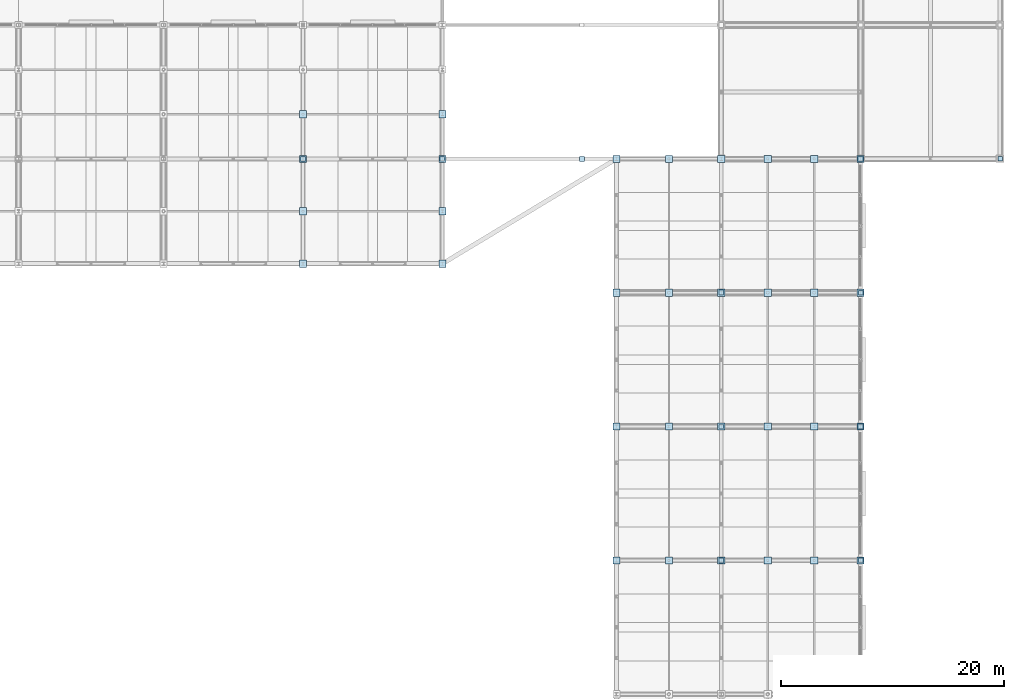
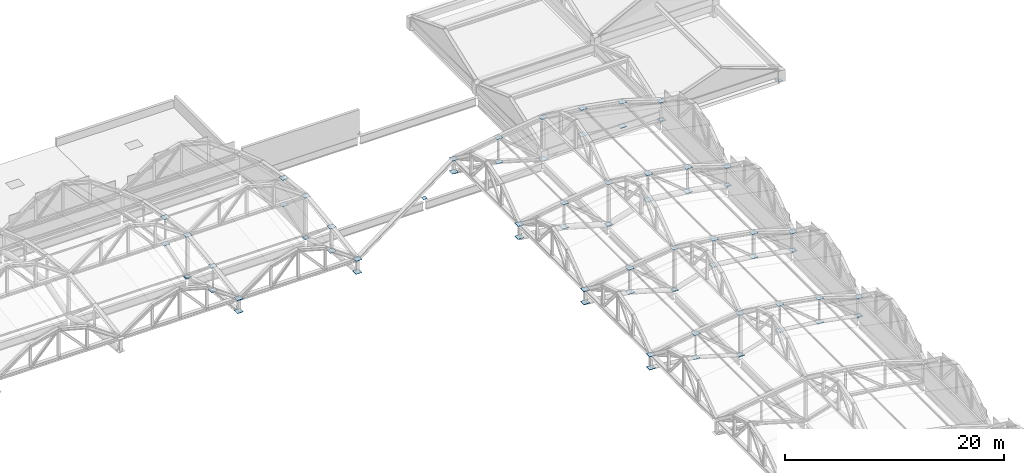
# One storey, part 105 of 117: 75 plates.
"""IFC4 building model written with IfcOpenShell, lengths in metres."""

from ifc_helpers import new_model, si_unit, direction, frame, origin, origin_2d, place, context, subcontext, project, spatial, rectangle, extrude, material, layer, layer_set, type_object, element, save


model = new_model("IFC4")

# Units and contexts
model_context = context("Model", 3, precision=1e-05, world=origin(), true_north=direction((0.0, 1.0)))
body_context = subcontext(model_context, "Body", "Model", "MODEL_VIEW")
ifc_project = project(units=[si_unit("LENGTHUNIT", "METRE"), si_unit("AREAUNIT", "SQUARE_METRE"), si_unit("VOLUMEUNIT", "CUBIC_METRE"), si_unit("PLANEANGLEUNIT", "RADIAN"), si_unit("MASSUNIT", "GRAM", prefix="KILO")], contexts=[model_context])

# Site, building, storey
site_placement = place(None, origin())
site = spatial("IfcSite", under=ifc_project, at=site_placement, CompositionType="ELEMENT")
building_placement = place(site_placement, origin())
building = spatial("IfcBuilding", under=site, at=building_placement, Name="Kazenohara Klinker Stadium", CompositionType="ELEMENT")
storey_placement = place(building_placement, frame((0.0, 0.0, 31.199951171875)))
storey = spatial("IfcBuildingStorey", under=building, at=storey_placement, Name="RF", CompositionType="ELEMENT", Elevation=31.199951171875)

# Plates
ifc_material = material(Name="Steel S355", Category="steel")
ifc_layer_1 = layer(ifc_material, 0.02001953125)
ifc_layer_set_1 = layer_set([ifc_layer_1], Name="Steel S355")
plate_type_1 = type_object("IfcPlateType", Name="PLT-GP01", PredefinedType="USERDEFINED", material=ifc_layer_set_1)
plate_1_placement = place(storey_placement, frame((175.0, 120.0, -0.010009765625), z_axis=(0.0, 0.0, 1.0), x_axis=(1.0, 0.0, 0.0)))
element("IfcPlate", 1, at=plate_1_placement, inside=storey, type_object=plate_type_1, Name="Hollow column end-cap plate GP01 RF 15/L", ObjectType="GUSSET PLATE", PredefinedType="USERDEFINED", context=body_context, shape_type="SweptSolid", body=[
    extrude(rectangle(XDim=0.43994140625, YDim=0.43994140625, at=origin_2d()), origin(), (0.0, 0.0, 1.0), 0.02001953125),
])
plate_2_placement = place(storey_placement, frame((187.5, 96.0, -0.010009765625), z_axis=(0.0, 0.0, 1.0), x_axis=(1.0, 0.0, 0.0)))
element("IfcPlate", 2, at=plate_2_placement, inside=storey, type_object=plate_type_1, Name="Hollow column end-cap plate GP01 RF 16/J", ObjectType="GUSSET PLATE", PredefinedType="USERDEFINED", context=body_context, shape_type="SweptSolid", body=[
    extrude(rectangle(XDim=0.389892578125, YDim=0.389892578125, at=origin_2d()), origin(), (0.0, 0.0, 1.0), 0.02001953125),
])
for number, where, z_axis, x_axis, name in (
    (3, (183.333251953125, 96.0, 0.739990234375), (0.0, 0.0, 1.0), (1.0, 0.0, 0.0), "ROOF TRUSS RT-E05 node gusset plate BN2"),
    (4, (183.333251953125, 96.0, 3.43994140625), (0.0, 0.0, 1.0), (1.0, 0.0, 0.0), "ROOF TRUSS RT-E05 node gusset plate TN2"),
    (5, (187.5, 108.0, -0.030029296875), (0.0, 0.0, 1.0), (1.0, 0.0, 0.0), "ROOF TRUSS RT-E06 node gusset plate BN1"),
    (6, (187.5, 108.0, 2.090087890625), (0.0, 0.0, 1.0), (1.0, 0.0, 0.0), "ROOF TRUSS RT-E06 node gusset plate TN1"),
    (7, (165.60009765625, 120.0, 1.840087890625), (0.0, 0.0, 1.0), (1.0, 0.0, 0.0), "ROOF TRUSS RT-E07 node gusset plate BN6"),
    (8, (165.60009765625, 120.0, 3.2900390625), (0.0, 0.0, 1.0), (1.0, 0.0, 0.0), "ROOF TRUSS RT-E07 node gusset plate TN6"),
    (9, (137.5, 127.300048828125, 1.340087890625), (0.0, 0.0, 1.0), (1.0, 0.0, 0.0), "ROOF TRUSS RT-N07 node gusset plate BN5"),
    (10, (137.5, 127.300048828125, 4.0400390625), (0.0, 0.0, 1.0), (1.0, 0.0, 0.0), "ROOF TRUSS RT-N07 node gusset plate TN5"),
    (11, (170.300048828125, 132.0, 1.340087890625), (0.0, 0.0, 1.0), (1.0, 0.0, 0.0), "ROOF TRUSS RT-E08 node gusset plate BN5"),
    (12, (170.300048828125, 132.0, 4.0400390625), (0.0, 0.0, 1.0), (1.0, 0.0, 0.0), "ROOF TRUSS RT-E08 node gusset plate TN5"),
    (13, (150.0, 132.0, -0.030029296875), (0.0, 0.0, 1.0), (1.0, 0.0, 0.0), "ROOF TRUSS RT-N08 node gusset plate BN4"),
    (14, (150.0, 132.0, 4.64013671875), (0.0, 0.0, 1.0), (1.0, 0.0, 0.0), "ROOF TRUSS RT-N08 node gusset plate TN4"),
):
    element("IfcPlate", number, at=place(storey_placement, frame(where, z_axis=z_axis, x_axis=x_axis)), inside=storey, type_object=plate_type_1, Name=name, ObjectType="GUSSET PLATE", PredefinedType="USERDEFINED", context=body_context, shape_type="SweptSolid", body=[
        extrude(rectangle(XDim=0.639892578125, YDim=0.639892578125, at=origin_2d()), origin(), (0.0, 0.0, 1.0), 0.02001953125),
    ])
ifc_layer_2 = layer(ifc_material, 0.02197265625)
ifc_layer_set_2 = layer_set([ifc_layer_2], Name="Steel S355")
plate_type_2 = type_object("IfcPlateType", Name="PLT-GP02", PredefinedType="USERDEFINED", material=ifc_layer_set_2)
plate_3_placement = place(storey_placement, frame((137.5, 132.0, -0.010986328125), z_axis=(0.0, 0.0, 1.0), x_axis=(1.0, 0.0, 0.0)))
element("IfcPlate", 15, at=plate_3_placement, inside=storey, type_object=plate_type_2, Name="Hollow column end-cap plate GP02 RF 12/M", ObjectType="GUSSET PLATE", PredefinedType="USERDEFINED", context=body_context, shape_type="SweptSolid", body=[
    extrude(rectangle(XDim=0.43994140625, YDim=0.43994140625, at=origin_2d()), origin(), (0.0, 0.0, 1.0), 0.02197265625),
])
plate_4_placement = place(storey_placement, frame((150.0, 132.0, -0.010986328125), z_axis=(0.0, 0.0, 1.0), x_axis=(1.0, 0.0, 0.0)))
element("IfcPlate", 16, at=plate_4_placement, inside=storey, type_object=plate_type_2, Name="Hollow column end-cap plate GP02 RF 13/M", ObjectType="GUSSET PLATE", PredefinedType="USERDEFINED", context=body_context, shape_type="SweptSolid", body=[
    extrude(rectangle(XDim=0.389892578125, YDim=0.389892578125, at=origin_2d()), origin(), (0.0, 0.0, 1.0), 0.02197265625),
])
for number, where, z_axis, x_axis, name in (
    (17, (162.5, 132.0, -0.010986328125), (0.0, 0.0, 1.0), (1.0, 0.0, 0.0), "Hollow column end-cap plate GP02 RF 14/M"),
    (18, (175.0, 96.0, -0.010986328125), (0.0, 0.0, 1.0), (1.0, 0.0, 0.0), "Hollow column end-cap plate GP02 RF 15/J"),
):
    element("IfcPlate", number, at=place(storey_placement, frame(where, z_axis=z_axis, x_axis=x_axis)), inside=storey, type_object=plate_type_2, Name=name, ObjectType="GUSSET PLATE", PredefinedType="USERDEFINED", context=body_context, shape_type="SweptSolid", body=[
        extrude(rectangle(XDim=0.43994140625, YDim=0.43994140625, at=origin_2d()), origin(), (0.0, 0.0, 1.0), 0.02197265625),
    ])
plate_5_placement = place(storey_placement, frame((175.0, 108.0, -0.010986328125), z_axis=(0.0, 0.0, 1.0), x_axis=(1.0, 0.0, 0.0)))
element("IfcPlate", 19, at=plate_5_placement, inside=storey, type_object=plate_type_2, Name="Hollow column end-cap plate GP02 RF 15/K", ObjectType="GUSSET PLATE", PredefinedType="USERDEFINED", context=body_context, shape_type="SweptSolid", body=[
    extrude(rectangle(XDim=0.389892578125, YDim=0.389892578125, at=origin_2d()), origin(), (0.0, 0.0, 1.0), 0.02197265625),
])
for number, where, z_axis, x_axis, name in (
    (20, (179.166748046875, 96.0, 1.239013671875), (0.0, 0.0, 1.0), (1.0, 0.0, 0.0), "ROOF TRUSS RT-E05 node gusset plate BN3"),
    (21, (179.166748046875, 96.0, 4.18896484375), (0.0, 0.0, 1.0), (1.0, 0.0, 0.0), "ROOF TRUSS RT-E05 node gusset plate TN3"),
    (22, (183.333251953125, 108.0, 0.739013671875), (0.0, 0.0, 1.0), (1.0, 0.0, 0.0), "ROOF TRUSS RT-E06 node gusset plate BN2"),
    (23, (183.333251953125, 108.0, 3.43896484375), (0.0, 0.0, 1.0), (1.0, 0.0, 0.0), "ROOF TRUSS RT-E06 node gusset plate TN2"),
    (24, (187.5, 120.0, -0.031005859375), (0.0, 0.0, 1.0), (1.0, 0.0, 0.0), "ROOF TRUSS RT-E07 node gusset plate BN1"),
    (25, (187.5, 120.0, 2.089111328125), (0.0, 0.0, 1.0), (1.0, 0.0, 0.0), "ROOF TRUSS RT-E07 node gusset plate TN1"),
    (26, (137.5, 122.60009765625, 1.839111328125), (0.0, 0.0, 1.0), (1.0, 0.0, 0.0), "ROOF TRUSS RT-N07 node gusset plate BN6"),
    (27, (137.5, 122.60009765625, 3.2890625), (0.0, 0.0, 1.0), (1.0, 0.0, 0.0), "ROOF TRUSS RT-N07 node gusset plate TN6"),
    (28, (165.60009765625, 132.0, 1.839111328125), (0.0, 0.0, 1.0), (1.0, 0.0, 0.0), "ROOF TRUSS RT-E08 node gusset plate BN6"),
    (29, (165.60009765625, 132.0, 3.2890625), (0.0, 0.0, 1.0), (1.0, 0.0, 0.0), "ROOF TRUSS RT-E08 node gusset plate TN6"),
    (30, (150.0, 127.300048828125, 1.339111328125), (0.0, 0.0, 1.0), (1.0, 0.0, 0.0), "ROOF TRUSS RT-N08 node gusset plate BN5"),
    (31, (150.0, 127.300048828125, 4.0390625), (0.0, 0.0, 1.0), (1.0, 0.0, 0.0), "ROOF TRUSS RT-N08 node gusset plate TN5"),
):
    element("IfcPlate", number, at=place(storey_placement, frame(where, z_axis=z_axis, x_axis=x_axis)), inside=storey, type_object=plate_type_2, Name=name, ObjectType="GUSSET PLATE", PredefinedType="USERDEFINED", context=body_context, shape_type="SweptSolid", body=[
        extrude(rectangle(XDim=0.639892578125, YDim=0.639892578125, at=origin_2d()), origin(), (0.0, 0.0, 1.0), 0.02197265625),
    ])
ifc_layer_3 = layer(ifc_material, 0.02392578125)
ifc_layer_set_3 = layer_set([ifc_layer_3], Name="Steel S355")
plate_type_3 = type_object("IfcPlateType", Name="PLT-GP03", PredefinedType="USERDEFINED", material=ifc_layer_set_3)
plate_6_placement = place(storey_placement, frame((187.5, 120.0, -0.011962890625), z_axis=(0.0, 0.0, 1.0), x_axis=(1.0, 0.0, 0.0)))
element("IfcPlate", 32, at=plate_6_placement, inside=storey, type_object=plate_type_3, Name="Hollow column end-cap plate GP03 RF 16/L", ObjectType="GUSSET PLATE", PredefinedType="USERDEFINED", context=body_context, shape_type="SweptSolid", body=[
    extrude(rectangle(XDim=0.389892578125, YDim=0.389892578125, at=origin_2d()), origin(), (0.0, 0.0, 1.0), 0.02392578125),
])
plate_7_placement = place(storey_placement, frame((187.5, 132.0, -0.011962890625), z_axis=(0.0, 0.0, 1.0), x_axis=(1.0, 0.0, 0.0)))
element("IfcPlate", 33, at=plate_7_placement, inside=storey, type_object=plate_type_3, Name="Hollow column end-cap plate GP03 RF 16/M", ObjectType="GUSSET PLATE", PredefinedType="USERDEFINED", context=body_context, shape_type="SweptSolid", body=[
    extrude(rectangle(XDim=0.43994140625, YDim=0.43994140625, at=origin_2d()), origin(), (0.0, 0.0, 1.0), 0.02392578125),
])
plate_8_placement = place(storey_placement, frame((200.0, 132.0, -0.011962890625), z_axis=(0.0, 0.0, 1.0), x_axis=(1.0, 0.0, 0.0)))
element("IfcPlate", 34, at=plate_8_placement, inside=storey, type_object=plate_type_3, Name="Hollow column end-cap plate GP03 RF 17/M", ObjectType="GUSSET PLATE", PredefinedType="USERDEFINED", context=body_context, shape_type="SweptSolid", body=[
    extrude(rectangle(XDim=0.389892578125, YDim=0.389892578125, at=origin_2d()), origin(), (0.0, 0.0, 1.0), 0.02392578125),
])
for number, where, z_axis, x_axis, name in (
    (35, (175.0, 96.0, -0.031982421875), (0.0, 0.0, 1.0), (1.0, 0.0, 0.0), "ROOF TRUSS RT-E05 node gusset plate BN4"),
    (36, (175.0, 96.0, 4.63818359375), (0.0, 0.0, 1.0), (1.0, 0.0, 0.0), "ROOF TRUSS RT-E05 node gusset plate TN4"),
    (37, (179.166748046875, 108.0, 1.238037109375), (0.0, 0.0, 1.0), (1.0, 0.0, 0.0), "ROOF TRUSS RT-E06 node gusset plate BN3"),
    (38, (179.166748046875, 108.0, 4.18798828125), (0.0, 0.0, 1.0), (1.0, 0.0, 0.0), "ROOF TRUSS RT-E06 node gusset plate TN3"),
    (39, (183.333251953125, 120.0, 0.738037109375), (0.0, 0.0, 1.0), (1.0, 0.0, 0.0), "ROOF TRUSS RT-E07 node gusset plate BN2"),
    (40, (183.333251953125, 120.0, 3.43798828125), (0.0, 0.0, 1.0), (1.0, 0.0, 0.0), "ROOF TRUSS RT-E07 node gusset plate TN2"),
    (41, (187.5, 132.0, -0.031982421875), (0.0, 0.0, 1.0), (1.0, 0.0, 0.0), "ROOF TRUSS RT-E08 node gusset plate BN1"),
    (42, (187.5, 132.0, 2.088134765625), (0.0, 0.0, 1.0), (1.0, 0.0, 0.0), "ROOF TRUSS RT-E08 node gusset plate TN1"),
    (43, (150.0, 122.60009765625, 1.838134765625), (0.0, 0.0, 1.0), (1.0, 0.0, 0.0), "ROOF TRUSS RT-N08 node gusset plate BN6"),
    (44, (150.0, 122.60009765625, 3.2880859375), (0.0, 0.0, 1.0), (1.0, 0.0, 0.0), "ROOF TRUSS RT-N08 node gusset plate TN6"),
):
    element("IfcPlate", number, at=place(storey_placement, frame(where, z_axis=z_axis, x_axis=x_axis)), inside=storey, type_object=plate_type_3, Name=name, ObjectType="GUSSET PLATE", PredefinedType="USERDEFINED", context=body_context, shape_type="SweptSolid", body=[
        extrude(rectangle(XDim=0.639892578125, YDim=0.639892578125, at=origin_2d()), origin(), (0.0, 0.0, 1.0), 0.02392578125),
    ])
ifc_layer_4 = layer(ifc_material, 0.02490234375)
ifc_layer_set_4 = layer_set([ifc_layer_4], Name="Steel S355")
plate_type_4 = type_object("IfcPlateType", Name="PLT-GP04", PredefinedType="USERDEFINED", material=ifc_layer_set_4)
plate_9_placement = place(storey_placement, frame((187.5, 108.0, -0.012451171875), z_axis=(0.0, 0.0, 1.0), x_axis=(1.0, 0.0, 0.0)))
element("IfcPlate", 45, at=plate_9_placement, inside=storey, type_object=plate_type_4, Name="Hollow column end-cap plate GP04 RF 16/K", ObjectType="GUSSET PLATE", PredefinedType="USERDEFINED", context=body_context, shape_type="SweptSolid", body=[
    extrude(rectangle(XDim=0.43994140625, YDim=0.43994140625, at=origin_2d()), origin(), (0.0, 0.0, 1.0), 0.02490234375),
])
for number, where, z_axis, x_axis, name in (
    (46, (170.300048828125, 96.0, 1.337646484375), (0.0, 0.0, 1.0), (1.0, 0.0, 0.0), "ROOF TRUSS RT-E05 node gusset plate BN5"),
    (47, (170.300048828125, 96.0, 4.03759765625), (0.0, 0.0, 1.0), (1.0, 0.0, 0.0), "ROOF TRUSS RT-E05 node gusset plate TN5"),
    (48, (175.0, 108.0, -0.032470703125), (0.0, 0.0, 1.0), (1.0, 0.0, 0.0), "ROOF TRUSS RT-E06 node gusset plate BN4"),
    (49, (175.0, 108.0, 4.6376953125), (0.0, 0.0, 1.0), (1.0, 0.0, 0.0), "ROOF TRUSS RT-E06 node gusset plate TN4"),
    (50, (179.166748046875, 120.0, 1.237548828125), (0.0, 0.0, 1.0), (1.0, 0.0, 0.0), "ROOF TRUSS RT-E07 node gusset plate BN3"),
    (51, (179.166748046875, 120.0, 4.1875), (0.0, 0.0, 1.0), (1.0, 0.0, 0.0), "ROOF TRUSS RT-E07 node gusset plate TN3"),
    (52, (183.333251953125, 132.0, 0.737548828125), (0.0, 0.0, 1.0), (1.0, 0.0, 0.0), "ROOF TRUSS RT-E08 node gusset plate BN2"),
    (53, (183.333251953125, 132.0, 3.4375), (0.0, 0.0, 1.0), (1.0, 0.0, 0.0), "ROOF TRUSS RT-E08 node gusset plate TN2"),
):
    element("IfcPlate", number, at=place(storey_placement, frame(where, z_axis=z_axis, x_axis=x_axis)), inside=storey, type_object=plate_type_4, Name=name, ObjectType="GUSSET PLATE", PredefinedType="USERDEFINED", context=body_context, shape_type="SweptSolid", body=[
        extrude(rectangle(XDim=0.639892578125, YDim=0.639892578125, at=origin_2d()), origin(), (0.0, 0.0, 1.0), 0.02490234375),
    ])
ifc_layer_5 = layer(ifc_material, 0.02587890625)
ifc_layer_set_5 = layer_set([ifc_layer_5], Name="Steel S355")
plate_type_5 = type_object("IfcPlateType", Name="PLT-GP05", PredefinedType="USERDEFINED", material=ifc_layer_set_5)
for number, where, z_axis, x_axis, name in (
    (54, (165.60009765625, 96.0, 1.837158203125), (0.0, 0.0, 1.0), (1.0, 0.0, 0.0), "ROOF TRUSS RT-E05 node gusset plate BN6"),
    (55, (165.60009765625, 96.0, 3.287109375), (0.0, 0.0, 1.0), (1.0, 0.0, 0.0), "ROOF TRUSS RT-E05 node gusset plate TN6"),
    (56, (170.300048828125, 108.0, 1.337158203125), (0.0, 0.0, 1.0), (1.0, 0.0, 0.0), "ROOF TRUSS RT-E06 node gusset plate BN5"),
    (57, (170.300048828125, 108.0, 4.037109375), (0.0, 0.0, 1.0), (1.0, 0.0, 0.0), "ROOF TRUSS RT-E06 node gusset plate TN5"),
    (58, (175.0, 120.0, -0.032958984375), (0.0, 0.0, 1.0), (1.0, 0.0, 0.0), "ROOF TRUSS RT-E07 node gusset plate BN4"),
    (59, (175.0, 120.0, 4.63720703125), (0.0, 0.0, 1.0), (1.0, 0.0, 0.0), "ROOF TRUSS RT-E07 node gusset plate TN4"),
    (60, (137.5, 136.0, 1.237060546875), (0.0, 0.0, 1.0), (1.0, 0.0, 0.0), "ROOF TRUSS RT-N07 node gusset plate BN3"),
    (61, (137.5, 136.0, 4.18701171875), (0.0, 0.0, 1.0), (1.0, 0.0, 0.0), "ROOF TRUSS RT-N07 node gusset plate TN3"),
    (62, (179.166748046875, 132.0, 1.237060546875), (0.0, 0.0, 1.0), (1.0, 0.0, 0.0), "ROOF TRUSS RT-E08 node gusset plate BN3"),
    (63, (179.166748046875, 132.0, 4.18701171875), (0.0, 0.0, 1.0), (1.0, 0.0, 0.0), "ROOF TRUSS RT-E08 node gusset plate TN3"),
):
    element("IfcPlate", number, at=place(storey_placement, frame(where, z_axis=z_axis, x_axis=x_axis)), inside=storey, type_object=plate_type_5, Name=name, ObjectType="GUSSET PLATE", PredefinedType="USERDEFINED", context=body_context, shape_type="SweptSolid", body=[
        extrude(rectangle(XDim=0.639892578125, YDim=0.639892578125, at=origin_2d()), origin(), (0.0, 0.0, 1.0), 0.02587890625),
    ])
ifc_layer_6 = layer(ifc_material, 0.028076171875)
ifc_layer_set_6 = layer_set([ifc_layer_6], Name="Steel S355")
plate_type_6 = type_object("IfcPlateType", Name="PLT-GP06", PredefinedType="USERDEFINED", material=ifc_layer_set_6)
for number, where, z_axis, x_axis, name in (
    (64, (187.5, 96.0, -0.0341796875), (0.0, 0.0, 1.0), (1.0, 0.0, 0.0), "ROOF TRUSS RT-E05 node gusset plate BN1"),
    (65, (187.5, 96.0, 2.0859375), (0.0, 0.0, 1.0), (1.0, 0.0, 0.0), "ROOF TRUSS RT-E05 node gusset plate TN1"),
    (66, (165.60009765625, 108.0, 1.8359375), (0.0, 0.0, 1.0), (1.0, 0.0, 0.0), "ROOF TRUSS RT-E06 node gusset plate BN6"),
    (67, (165.60009765625, 108.0, 3.2861328125), (0.0, 0.0, 1.0), (1.0, 0.0, 0.0), "ROOF TRUSS RT-E06 node gusset plate TN6"),
    (68, (170.300048828125, 120.0, 1.3359375), (0.0, 0.0, 1.0), (1.0, 0.0, 0.0), "ROOF TRUSS RT-E07 node gusset plate BN5"),
    (69, (170.300048828125, 120.0, 4.0361328125), (0.0, 0.0, 1.0), (1.0, 0.0, 0.0), "ROOF TRUSS RT-E07 node gusset plate TN5"),
    (70, (137.5, 132.0, -0.0341796875), (0.0, 0.0, 1.0), (1.0, 0.0, 0.0), "ROOF TRUSS RT-N07 node gusset plate BN4"),
    (71, (137.5, 132.0, 4.63623046875), (0.0, 0.0, 1.0), (1.0, 0.0, 0.0), "ROOF TRUSS RT-N07 node gusset plate TN4"),
    (72, (175.0, 132.0, -0.0341796875), (0.0, 0.0, 1.0), (1.0, 0.0, 0.0), "ROOF TRUSS RT-E08 node gusset plate BN4"),
    (73, (175.0, 132.0, 4.63623046875), (0.0, 0.0, 1.0), (1.0, 0.0, 0.0), "ROOF TRUSS RT-E08 node gusset plate TN4"),
    (74, (150.0, 136.0, 1.23583984375), (0.0, 0.0, 1.0), (1.0, 0.0, 0.0), "ROOF TRUSS RT-N08 node gusset plate BN3"),
    (75, (150.0, 136.0, 4.18603515625), (0.0, 0.0, 1.0), (1.0, 0.0, 0.0), "ROOF TRUSS RT-N08 node gusset plate TN3"),
):
    element("IfcPlate", number, at=place(storey_placement, frame(where, z_axis=z_axis, x_axis=x_axis)), inside=storey, type_object=plate_type_6, Name=name, ObjectType="GUSSET PLATE", PredefinedType="USERDEFINED", context=body_context, shape_type="SweptSolid", body=[
        extrude(rectangle(XDim=0.639892578125, YDim=0.639892578125, at=origin_2d()), origin(), (0.0, 0.0, 1.0), 0.028076171875),
    ])

save(model, "model.ifc")
